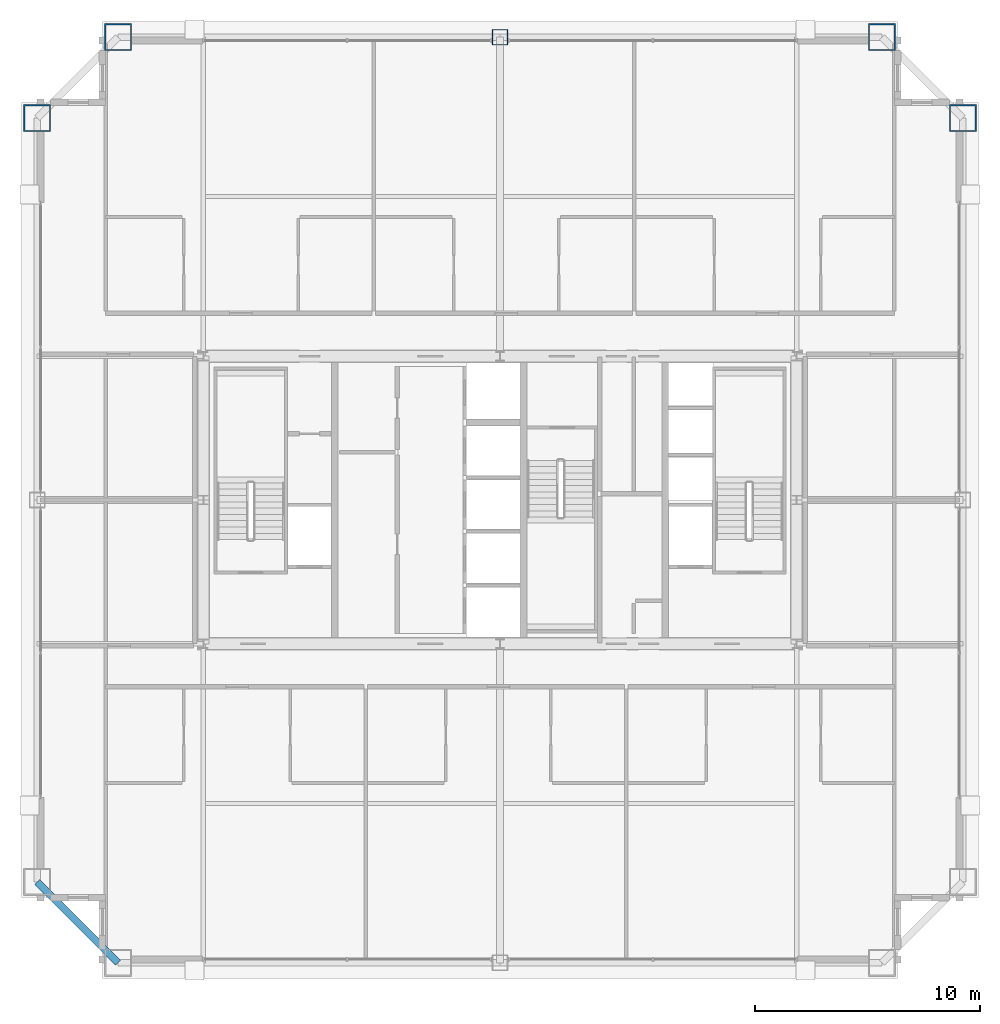
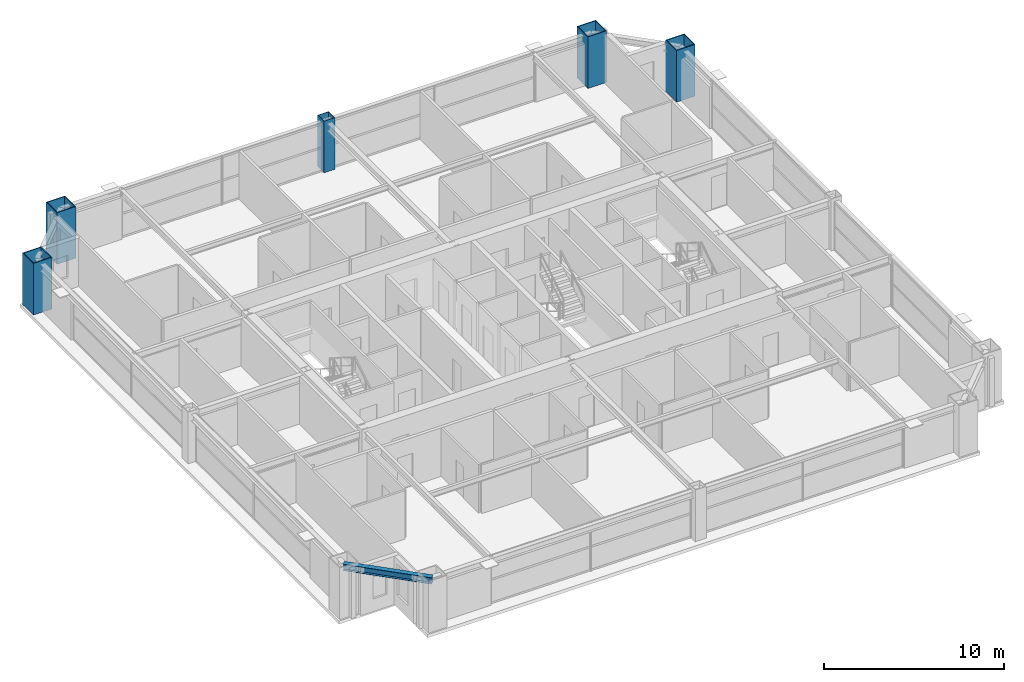
# One storey, part 2 of 36: 5 columns, 1 beam.
"""IFC4 building model written with IfcOpenShell, lengths in metres."""

from ifc_helpers import new_model, si_unit, direction, frame, origin, origin_2d, place, context, subcontext, project, spatial, hollow_rectangle, i_section, extrude, source, transform, mapped, material, material_profile, profile_set, type_object, element, save


model = new_model("IFC4")

# Units and contexts
model_context = context("Model", 3, precision=1e-05, world=origin(), true_north=direction((0.0, 1.0)))
body_context = subcontext(model_context, "Body", "Model", "MODEL_VIEW")
ifc_project = project(units=[si_unit("LENGTHUNIT", "METRE"), si_unit("AREAUNIT", "SQUARE_METRE"), si_unit("VOLUMEUNIT", "CUBIC_METRE"), si_unit("PLANEANGLEUNIT", "RADIAN"), si_unit("MASSUNIT", "GRAM", prefix="KILO"), si_unit("THERMODYNAMICTEMPERATUREUNIT", "KELVIN"), si_unit("POWERUNIT", "WATT")], contexts=[model_context])

# Site, building, storey
site_placement = place(None, origin())
site = spatial("IfcSite", under=ifc_project, at=site_placement, CompositionType="ELEMENT")
building_placement = place(site_placement, origin())
building = spatial("IfcBuilding", under=site, at=building_placement, Name="Yuzanri Waterfront Tower", CompositionType="ELEMENT")
storey_placement = place(building_placement, frame((0.0, 0.0, 238.10009765625)))
storey = spatial("IfcBuildingStorey", under=building, at=storey_placement, Name="L63", CompositionType="ELEMENT", Elevation=238.10009765625)

# Columns
ifc_material_1 = material(Name="Steel Q390GJC", Category="steel")
ifc_material_profile_1 = material_profile(ifc_material_1, hollow_rectangle(XDim=1.199951171875, YDim=1.199951171875, WallThickness=0.054931640625, at=origin_2d()), Name="RHS 1200x1200x55")
ifc_profile_set_1 = profile_set([ifc_material_profile_1], Name="Steel Q390GJC")
column_type_1 = type_object("IfcColumnType", Name="Mega Column Q390GJC RHS 1200x1200x55", PredefinedType="COLUMN", material=ifc_profile_set_1)
shared_shape_1 = source(origin(), body_context, "Body", "SweptSolid", [
    extrude(hollow_rectangle(XDim=1.199951171875, YDim=1.199951171875, WallThickness=0.054931640625, at=origin_2d()), origin(), (0.0, 0.0, 1.0), 3.5),
])
for number, where, z_axis, x_axis, name in (
    (1, (20.0, 46.39990234375, 0.0), (0.0, 0.0, 1.0), (1.0, 0.0, 0.0), "L63 Perimeter Mega Column N1"),
    (2, (54.0, 46.39990234375, 0.0), (0.0, 0.0, 1.0), (1.0, 0.0, 0.0), "L63 Perimeter Mega Column N3"),
    (3, (16.39990234375, 42.800048828125, 0.0), (0.0, 0.0, 1.0), (1.0, 0.0, 0.0), "L63 Perimeter Mega Column W3"),
    (4, (57.60009765625, 42.800048828125, 0.0), (0.0, 0.0, 1.0), (1.0, 0.0, 0.0), "L63 Perimeter Mega Column E3"),
):
    element("IfcColumn", number, at=place(storey_placement, frame(where, z_axis=z_axis, x_axis=x_axis)), inside=storey, type_object=column_type_1, Name=name, PredefinedType="COLUMN", context=body_context, shape_type="MappedRepresentation", body=[
        mapped(shared_shape_1, transform((0.0, 0.0, 0.0), scale=1.0)),
    ])
ifc_material_2 = material(Name="Steel Q355B", Category="steel")
ifc_material_profile_2 = material_profile(ifc_material_2, hollow_rectangle(XDim=0.699951171875, YDim=0.699951171875, WallThickness=0.031982421875, at=origin_2d()), Name="RHS 700x700x32")
ifc_profile_set_2 = profile_set([ifc_material_profile_2], Name="Steel Q355B")
column_type_2 = type_object("IfcColumnType", Name="Frame Column Q355B RHS 700x700x32", PredefinedType="COLUMN", material=ifc_profile_set_2)
shared_shape_2 = source(origin(), body_context, "Body", "SweptSolid", [
    extrude(hollow_rectangle(XDim=0.699951171875, YDim=0.699951171875, WallThickness=0.031982421875, at=origin_2d()), origin(), (0.0, 0.0, 1.0), 3.5),
])
column_placement = place(storey_placement, frame((37.0, 46.39990234375, 0.0), z_axis=(0.0, 0.0, 1.0), x_axis=(1.0, 0.0, 0.0)))
element("IfcColumn", 5, at=column_placement, inside=storey, type_object=column_type_2, Name="L63 Perimeter Frame Column N2", PredefinedType="COLUMN", context=body_context, shape_type="MappedRepresentation", body=[
    mapped(shared_shape_2, transform((0.0, 0.0, 0.0), scale=1.0)),
])

# Beam
ifc_material_3 = material(Name="Steel Q355B", Category="steel")
ifc_material_profile_3 = material_profile(ifc_material_3, i_section(OverallWidth=0.300048828125, OverallDepth=0.43994140625, WebThickness=0.010986328125, FlangeThickness=0.01806640625, at=origin_2d()), Name="HM 440x300x11x18")
ifc_profile_set_3 = profile_set([ifc_material_profile_3], Name="Steel Q355B")
beam_type = type_object("IfcBeamType", Name="Perimeter Spandrel Q355B HM 440x300", PredefinedType="SPANDREL", material=ifc_profile_set_3)
shared_shape_3 = source(origin(), body_context, "Body", "SweptSolid", [
    extrude(i_section(OverallWidth=0.300048828125, OverallDepth=0.43994140625, WebThickness=0.010986328125, FlangeThickness=0.01806640625, at=origin_2d()), origin(), (0.0, 0.0, 1.0), 5.09130859375),
])
beam_placement = place(storey_placement, frame((16.39990234375, 8.800048828125, 3.059814453125), z_axis=(0.707106781187, -0.707106781187, 0.0), x_axis=(0.707106781187, 0.707106781187, 0.0)))
element("IfcBeam", 6, at=beam_placement, inside=storey, type_object=beam_type, Name="L63 Perimeter Spandrel W1-S1", PredefinedType="SPANDREL", context=body_context, shape_type="MappedRepresentation", body=[
    mapped(shared_shape_3, transform((0.0, 0.0, 0.0), scale=1.0)),
])

save(model, "model.ifc")
